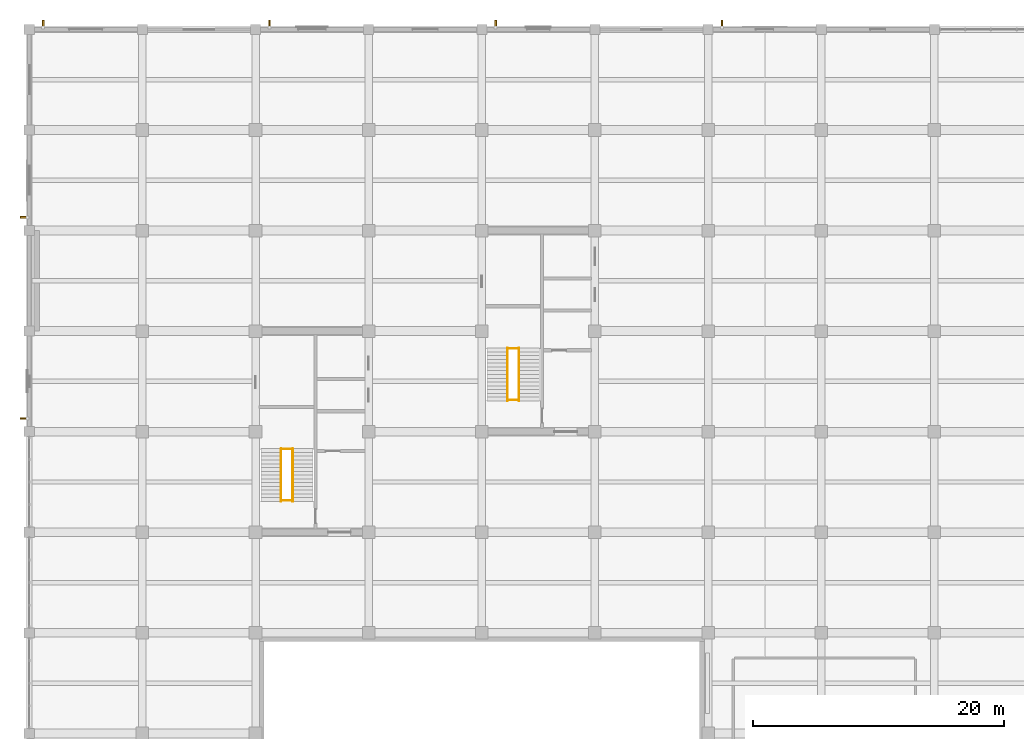
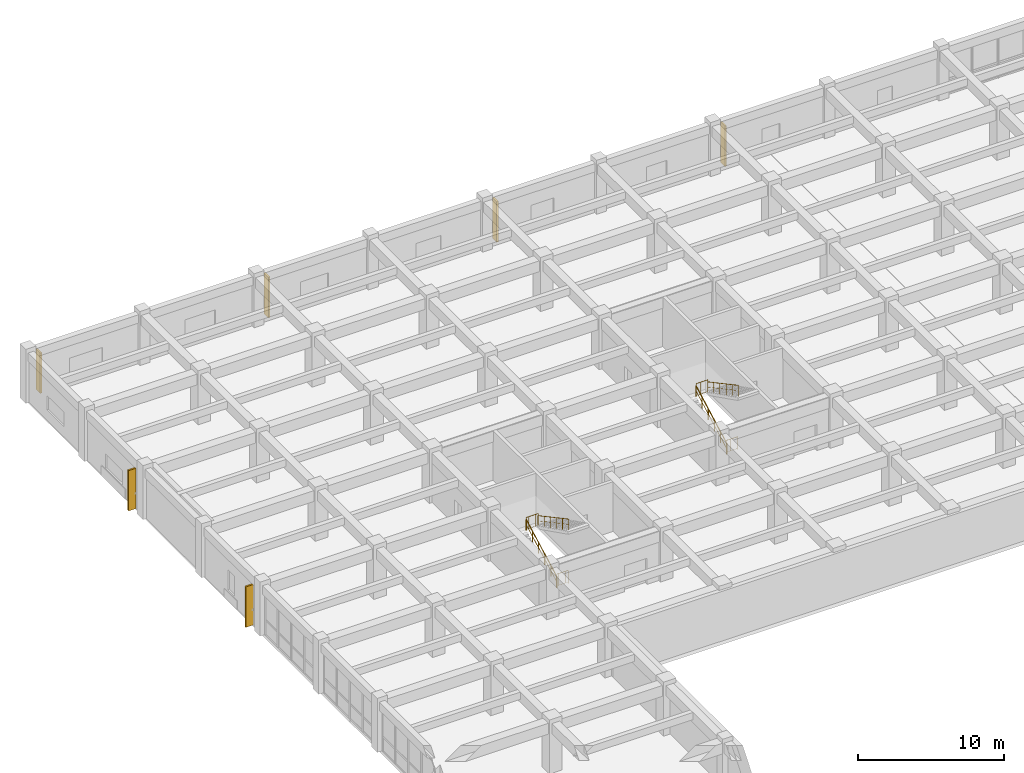
# One storey, part 46 of 50: 8 railings, 6 shading devices.
"""IFC4 building model written with IfcOpenShell, lengths in metres."""

from ifc_helpers import new_model, si_unit, direction, frame, frame_2d, origin, origin_2d, place, context, subcontext, project, spatial, rectangle, circle, extrude, material, layer, layer_set, type_object, element, save


model = new_model("IFC4")

# Units and contexts
model_context = context("Model", 3, precision=1e-05, world=origin(), true_north=direction((0.0, 1.0)))
body_context = subcontext(model_context, "Body", "Model", "MODEL_VIEW")
ifc_project = project(units=[si_unit("LENGTHUNIT", "METRE"), si_unit("AREAUNIT", "SQUARE_METRE"), si_unit("VOLUMEUNIT", "CUBIC_METRE"), si_unit("PLANEANGLEUNIT", "RADIAN"), si_unit("MASSUNIT", "GRAM", prefix="KILO")], contexts=[model_context])

# Site, building, storey
site_placement = place(None, origin())
site = spatial("IfcSite", under=ifc_project, at=site_placement, CompositionType="ELEMENT")
building_placement = place(site_placement, origin())
building = spatial("IfcBuilding", under=site, at=building_placement, Name="Zaverband Oceanarium and Marine Research Institute", CompositionType="ELEMENT")
storey_placement = place(building_placement, frame((0.0, 0.0, 9.0)))
storey = spatial("IfcBuildingStorey", under=building, at=storey_placement, Name="L02", CompositionType="ELEMENT", Elevation=9.0)

# Railings
ifc_material_1 = material(Name="Steel S355", Category="steel")
ifc_layer_1 = layer(ifc_material_1, 0.06005859375, Name="Steel S355")
ifc_layer_set_1 = layer_set([ifc_layer_1], Name="Steel S355")
railing_type_1 = type_object("IfcRailingType", Name="GRD-1100", PredefinedType="BALUSTRADE", material=ifc_layer_set_1)
for number, where, name in (
    (1, (20.0400390625, 86.6298828125, 2.25), "1100 mm steel post-and-baluster safety guard GRD-1100"),
    (2, (20.0400390625, 82.530029296875, 0.0), "1100 mm steel post-and-baluster safety guard GRD-1100"),
    (3, (38.0400390625, 94.6298828125, 2.25), "1100 mm steel post-and-baluster safety guard GRD-1100"),
    (4, (38.0400390625, 90.530029296875, 0.0), "1100 mm steel post-and-baluster safety guard GRD-1100"),
):
    element("IfcRailing", number, at=place(storey_placement, frame(where)), inside=storey, type_object=railing_type_1, Name=name, PredefinedType="BALUSTRADE", context=body_context, shape_type="SweptSolid", body=[
        extrude(circle(Radius=0.02392578125, at=origin_2d()), frame((0.0, 0.0, 1.076171875), z_axis=(1.0, 0.0, 0.0), x_axis=(0.0, 1.0, 0.0)), (0.0, 0.0, 1.0), 0.919921875),
        extrude(circle(Radius=0.009033203125, at=origin_2d()), frame((0.0, 0.0, 0.10009765625), z_axis=(1.0, 0.0, 0.0), x_axis=(0.0, 1.0, 0.0)), (0.0, 0.0, 1.0), 0.919921875),
        extrude(circle(Radius=0.009033203125, at=origin_2d()), frame((0.18408203125, 0.0, 0.10009765625)), (0.0, 0.0, 1.0), 0.951904296875),
        extrude(circle(Radius=0.009033203125, at=origin_2d()), frame((0.367919921875, 0.0, 0.10009765625)), (0.0, 0.0, 1.0), 0.951904296875),
        extrude(circle(Radius=0.009033203125, at=origin_2d()), frame((0.552001953125, 0.0, 0.10009765625)), (0.0, 0.0, 1.0), 0.951904296875),
        extrude(circle(Radius=0.009033203125, at=origin_2d()), frame((0.73583984375, 0.0, 0.10009765625)), (0.0, 0.0, 1.0), 0.951904296875),
        extrude(circle(Radius=0.02099609375, at=origin_2d()), origin(), (0.0, 0.0, 1.0), 1.052001953125),
        extrude(circle(Radius=0.02099609375, at=origin_2d()), frame((0.919921875, 0.0, 0.0)), (0.0, 0.0, 1.0), 1.052001953125),
    ])
ifc_layer_2 = layer(ifc_material_1, 0.050048828125, Name="Steel S355")
ifc_layer_set_2 = layer_set([ifc_layer_2], Name="Steel S355")
railing_type_2 = type_object("IfcRailingType", Name="HR-920", PredefinedType="HANDRAIL", material=ifc_layer_set_2)
railing_1_placement = place(storey_placement, frame((20.0400390625, 82.449951171875, 0.0)))
element("IfcRailing", 5, at=railing_1_placement, inside=storey, type_object=railing_type_2, Name="920 mm continuous tubular stair and ramp handrail HR-920", PredefinedType="HANDRAIL", context=body_context, shape_type="SweptSolid", body=[
    extrude(circle(Radius=0.02392578125, at=origin_2d()), frame((0.0, 0.0, 0.89599609375), z_axis=(0.0, 0.881477684796, 0.472225678258), x_axis=(-1.0, 0.0, 0.0)), (0.0, 0.0, 1.0), 4.7646484375),
    extrude(circle(Radius=0.009033203125, at=origin_2d()), frame((0.0, 0.0, 0.4599609375), z_axis=(0.0, 0.881477684796, 0.472225678258), x_axis=(-1.0, 0.0, 0.0)), (0.0, 0.0, 1.0), 4.7646484375),
    extrude(circle(Radius=0.02099609375, at=origin_2d()), origin(), (0.0, 0.0, 1.0), 0.871826171875),
    extrude(circle(Radius=0.02099609375, at=origin_2d()), frame((0.0, 0.840087890625, 0.449951171875)), (0.0, 0.0, 1.0), 0.871826171875),
    extrude(circle(Radius=0.02099609375, at=origin_2d()), frame((0.0, 1.679931640625, 0.89990234375)), (0.0, 0.0, 1.0), 0.871826171875),
    extrude(circle(Radius=0.02099609375, at=origin_2d()), frame((0.0, 2.52001953125, 1.35009765625)), (0.0, 0.0, 1.0), 0.871826171875),
    extrude(circle(Radius=0.02099609375, at=origin_2d()), frame((0.0, 3.35986328125, 1.800048828125)), (0.0, 0.0, 1.0), 0.871826171875),
    extrude(circle(Radius=0.02099609375, at=origin_2d()), frame((0.0, 4.199951171875, 2.25)), (0.0, 0.0, 1.0), 0.871826171875),
])
railing_2_placement = place(storey_placement, frame((20.9599609375, 86.64990234375, 2.25)))
element("IfcRailing", 6, at=railing_2_placement, inside=storey, type_object=railing_type_2, Name="920 mm continuous tubular stair and ramp handrail HR-920", PredefinedType="HANDRAIL", context=body_context, shape_type="SweptSolid", body=[
    extrude(circle(Radius=0.02392578125, at=origin_2d()), frame((0.0, 0.0, 0.89599609375), z_axis=(0.0, -0.881477684796, 0.472225678258), x_axis=(1.0, 0.0, 0.0)), (0.0, 0.0, 1.0), 4.7646484375),
    extrude(circle(Radius=0.009033203125, at=origin_2d()), frame((0.0, 0.0, 0.4599609375), z_axis=(0.0, -0.881477684796, 0.472225678258), x_axis=(1.0, 0.0, 0.0)), (0.0, 0.0, 1.0), 4.7646484375),
    extrude(circle(Radius=0.02099609375, at=origin_2d()), origin(), (0.0, 0.0, 1.0), 0.871826171875),
    extrude(circle(Radius=0.02099609375, at=origin_2d()), frame((0.0, -0.840087890625, 0.449951171875)), (0.0, 0.0, 1.0), 0.871826171875),
    extrude(circle(Radius=0.02099609375, at=origin_2d()), frame((0.0, -1.679931640625, 0.89990234375)), (0.0, 0.0, 1.0), 0.871826171875),
    extrude(circle(Radius=0.02099609375, at=origin_2d()), frame((0.0, -2.52001953125, 1.35009765625)), (0.0, 0.0, 1.0), 0.871826171875),
    extrude(circle(Radius=0.02099609375, at=origin_2d()), frame((0.0, -3.35986328125, 1.800048828125)), (0.0, 0.0, 1.0), 0.871826171875),
    extrude(circle(Radius=0.02099609375, at=origin_2d()), frame((0.0, -4.199951171875, 2.25)), (0.0, 0.0, 1.0), 0.871826171875),
])
railing_3_placement = place(storey_placement, frame((38.0400390625, 90.449951171875, 0.0)))
element("IfcRailing", 7, at=railing_3_placement, inside=storey, type_object=railing_type_2, Name="920 mm continuous tubular stair and ramp handrail HR-920", PredefinedType="HANDRAIL", context=body_context, shape_type="SweptSolid", body=[
    extrude(circle(Radius=0.02392578125, at=origin_2d()), frame((0.0, 0.0, 0.89599609375), z_axis=(0.0, 0.881477684796, 0.472225678258), x_axis=(-1.0, 0.0, 0.0)), (0.0, 0.0, 1.0), 4.7646484375),
    extrude(circle(Radius=0.009033203125, at=origin_2d()), frame((0.0, 0.0, 0.4599609375), z_axis=(0.0, 0.881477684796, 0.472225678258), x_axis=(-1.0, 0.0, 0.0)), (0.0, 0.0, 1.0), 4.7646484375),
    extrude(circle(Radius=0.02099609375, at=origin_2d()), origin(), (0.0, 0.0, 1.0), 0.871826171875),
    extrude(circle(Radius=0.02099609375, at=origin_2d()), frame((0.0, 0.840087890625, 0.449951171875)), (0.0, 0.0, 1.0), 0.871826171875),
    extrude(circle(Radius=0.02099609375, at=origin_2d()), frame((0.0, 1.679931640625, 0.89990234375)), (0.0, 0.0, 1.0), 0.871826171875),
    extrude(circle(Radius=0.02099609375, at=origin_2d()), frame((0.0, 2.52001953125, 1.35009765625)), (0.0, 0.0, 1.0), 0.871826171875),
    extrude(circle(Radius=0.02099609375, at=origin_2d()), frame((0.0, 3.35986328125, 1.800048828125)), (0.0, 0.0, 1.0), 0.871826171875),
    extrude(circle(Radius=0.02099609375, at=origin_2d()), frame((0.0, 4.199951171875, 2.25)), (0.0, 0.0, 1.0), 0.871826171875),
])
railing_4_placement = place(storey_placement, frame((38.9599609375, 94.64990234375, 2.25)))
element("IfcRailing", 8, at=railing_4_placement, inside=storey, type_object=railing_type_2, Name="920 mm continuous tubular stair and ramp handrail HR-920", PredefinedType="HANDRAIL", context=body_context, shape_type="SweptSolid", body=[
    extrude(circle(Radius=0.02392578125, at=origin_2d()), frame((0.0, 0.0, 0.89599609375), z_axis=(0.0, -0.881477684796, 0.472225678258), x_axis=(1.0, 0.0, 0.0)), (0.0, 0.0, 1.0), 4.7646484375),
    extrude(circle(Radius=0.009033203125, at=origin_2d()), frame((0.0, 0.0, 0.4599609375), z_axis=(0.0, -0.881477684796, 0.472225678258), x_axis=(1.0, 0.0, 0.0)), (0.0, 0.0, 1.0), 4.7646484375),
    extrude(circle(Radius=0.02099609375, at=origin_2d()), origin(), (0.0, 0.0, 1.0), 0.871826171875),
    extrude(circle(Radius=0.02099609375, at=origin_2d()), frame((0.0, -0.840087890625, 0.449951171875)), (0.0, 0.0, 1.0), 0.871826171875),
    extrude(circle(Radius=0.02099609375, at=origin_2d()), frame((0.0, -1.679931640625, 0.89990234375)), (0.0, 0.0, 1.0), 0.871826171875),
    extrude(circle(Radius=0.02099609375, at=origin_2d()), frame((0.0, -2.52001953125, 1.35009765625)), (0.0, 0.0, 1.0), 0.871826171875),
    extrude(circle(Radius=0.02099609375, at=origin_2d()), frame((0.0, -3.35986328125, 1.800048828125)), (0.0, 0.0, 1.0), 0.871826171875),
    extrude(circle(Radius=0.02099609375, at=origin_2d()), frame((0.0, -4.199951171875, 2.25)), (0.0, 0.0, 1.0), 0.871826171875),
])

# Shading devices
ifc_material_2 = material(Name="Concrete C40/50 precast brise-soleil", Category="concrete")
ifc_layer_3 = layer(ifc_material_2, 0.139892578125, Name="Concrete C40/50 precast brise-soleil")
ifc_layer_set_3 = layer_set([ifc_layer_3], Name="Concrete C40/50 precast brise-soleil")
shading_device_type = type_object("IfcShadingDeviceType", Name="SHD-FIN-600", PredefinedType="JALOUSIE", material=ifc_layer_set_3)
for number, where, z_axis, x_axis, name in (
    (9, (1.10498046875, 120.125, 0.0), (0.0, 0.0, 1.0), (0.0, 1.0, 0.0), "600 mm vertical precast brise-soleil fin SHD-FIN-600"),
    (10, (19.10498046875, 120.14990234375, 0.0), (0.0, 0.0, 1.0), (0.0, 1.0, 0.0), "600 mm vertical precast brise-soleil fin SHD-FIN-600"),
    (11, (37.10498046875, 120.125, 0.0), (0.0, 0.0, 1.0), (0.0, 1.0, 0.0), "600 mm vertical precast brise-soleil fin SHD-FIN-600"),
    (12, (55.10498046875, 120.14990234375, 0.0), (0.0, 0.0, 1.0), (0.0, 1.0, 0.0), "600 mm vertical precast brise-soleil fin SHD-FIN-600"),
    (13, (-0.125, 89.054931640625, 0.0), (0.0, 0.0, 1.0), (-1.0, 0.0, 0.0), "600 mm vertical precast brise-soleil fin SHD-FIN-600"),
    (14, (-0.135009765625, 105.054931640625, 0.0), (0.0, 0.0, 1.0), (-1.0, 0.0, 0.0), "600 mm vertical precast brise-soleil fin SHD-FIN-600"),
):
    element("IfcShadingDevice", number, at=place(storey_placement, frame(where, z_axis=z_axis, x_axis=x_axis)), inside=storey, type_object=shading_device_type, Name=name, PredefinedType="JALOUSIE", context=body_context, shape_type="SweptSolid", body=[
        extrude(rectangle(XDim=0.60009765625, YDim=0.139892578125, at=frame_2d((0.300048828125, 0.0))), origin(), (0.0, 0.0, 1.0), 3.3701171875),
    ])

save(model, "model.ifc")
